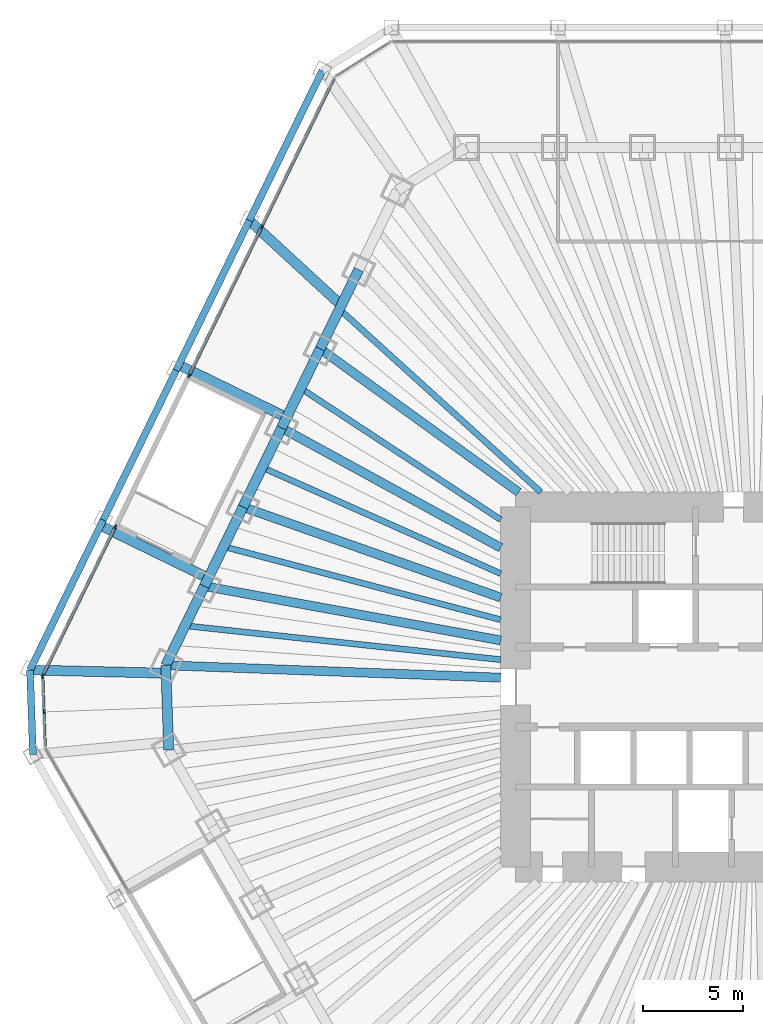
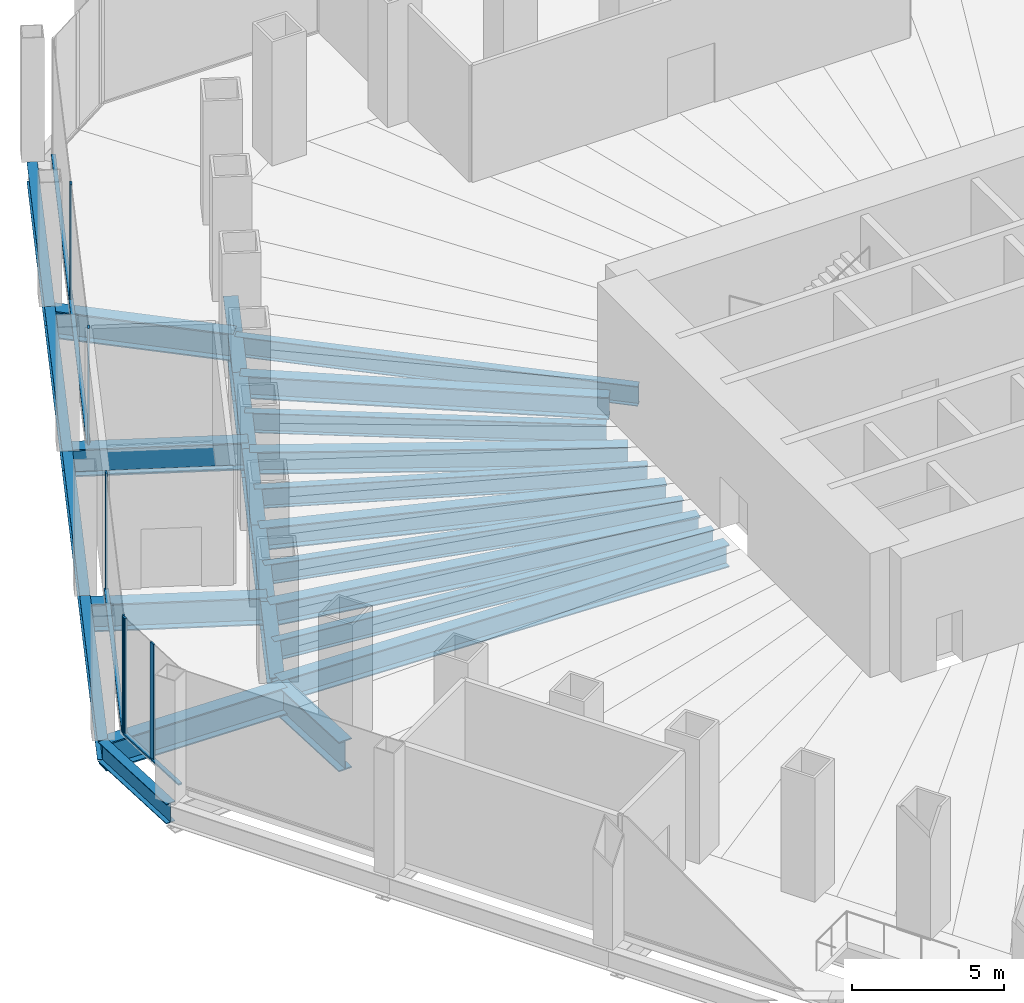
# One storey, part 6 of 18: 25 beams, 11 members, 3 elements without a shape of their own.
"""IFC4 building model written with IfcOpenShell, lengths in metres."""

from ifc_helpers import new_model, si_unit, direction, frame, origin, origin_2d, place, context, subcontext, project, spatial, rectangle, i_section, extrude, material, material_profile, profile_set, type_object, element, aggregate, save


model = new_model("IFC4")

# Units and contexts
model_context = context("Model", 3, precision=1e-05, world=origin(), true_north=direction((0.0, 1.0)))
body_context = subcontext(model_context, "Body", "Model", "MODEL_VIEW")
ifc_project = project(units=[si_unit("LENGTHUNIT", "METRE"), si_unit("AREAUNIT", "SQUARE_METRE"), si_unit("VOLUMEUNIT", "CUBIC_METRE"), si_unit("PLANEANGLEUNIT", "RADIAN"), si_unit("MASSUNIT", "GRAM", prefix="KILO")], contexts=[model_context])

# Site, building, storey
site_placement = place(None, origin())
site = spatial("IfcSite", under=ifc_project, at=site_placement, CompositionType="ELEMENT")
building_placement = place(site_placement, origin())
building = spatial("IfcBuilding", under=site, at=building_placement, Name="Qingtian Harvest Tower", CompositionType="ELEMENT")
storey_placement = place(building_placement, frame((0.0, 0.0, 12.0)))
storey = spatial("IfcBuildingStorey", under=building, at=storey_placement, Name="L02", CompositionType="ELEMENT", Elevation=12.0)

# Beams
ifc_material_1 = material(Name="Steel SM570MC", Category="steel")
ifc_material_profile_1 = material_profile(ifc_material_1, i_section(OverallWidth=0.449951171875, OverallDepth=0.89990234375, WebThickness=0.02197265625, FlangeThickness=0.044921875, at=origin_2d()), Name="H900x450x22x45")
ifc_profile_set_1 = profile_set([ifc_material_profile_1], Name="Steel SM570MC")
beam_type_1 = type_object("IfcBeamType", Name="Floor beam FB5 H900x450x22x45", PredefinedType="BEAM", material=ifc_profile_set_1)
beam_1_placement = place(storey_placement, frame((-29.5087890625, 1.08984375, -0.699951171875), z_axis=(0.999318796571, -0.036904509488, 0.0), x_axis=(0.036904509488, 0.999318796571, 0.0)))
element("IfcBeam", 1, at=beam_1_placement, inside=storey, type_object=beam_type_1, Name="Floor beam FB5 NW0", PredefinedType="BEAM", context=body_context, shape_type="SweptSolid", body=[
    extrude(i_section(OverallWidth=0.449951171875, OverallDepth=0.89990234375, WebThickness=0.02197265625, FlangeThickness=0.044921875, at=origin_2d()), origin(), (0.0, 0.0, 1.0), 16.770263671875),
])
beam_2_placement = place(storey_placement, frame((-27.577880859375, 5.048828125, -0.699951171875), z_axis=(0.98365177106, -0.180081074215, 0.0), x_axis=(0.180081074215, 0.98365177106, 0.0)))
element("IfcBeam", 2, at=beam_2_placement, inside=storey, type_object=beam_type_1, Name="Floor beam FB5 NW1", PredefinedType="BEAM", context=body_context, shape_type="SweptSolid", body=[
    extrude(i_section(OverallWidth=0.449951171875, OverallDepth=0.89990234375, WebThickness=0.02197265625, FlangeThickness=0.044921875, at=origin_2d()), origin(), (0.0, 0.0, 1.0), 15.07421875),
])
beam_3_placement = place(storey_placement, frame((-25.64697265625, 9.007568359375, -0.699951171875), z_axis=(0.943501950009, -0.331366972296, 0.0), x_axis=(0.331366972296, 0.943501950009, 0.0)))
element("IfcBeam", 3, at=beam_3_placement, inside=storey, type_object=beam_type_1, Name="Floor beam FB5 NW2", PredefinedType="BEAM", context=body_context, shape_type="SweptSolid", body=[
    extrude(i_section(OverallWidth=0.449951171875, OverallDepth=0.89990234375, WebThickness=0.02197265625, FlangeThickness=0.044921875, at=origin_2d()), origin(), (0.0, 0.0, 1.0), 13.669189453125),
])
beam_4_placement = place(storey_placement, frame((-23.716064453125, 12.96630859375, -0.699951171875), z_axis=(0.877428569154, -0.479707312882, 0.0), x_axis=(0.479707312882, 0.877428569154, 0.0)))
element("IfcBeam", 4, at=beam_4_placement, inside=storey, type_object=beam_type_1, Name="Floor beam FB5 NW3", PredefinedType="BEAM", context=body_context, shape_type="SweptSolid", body=[
    extrude(i_section(OverallWidth=0.449951171875, OverallDepth=0.89990234375, WebThickness=0.02197265625, FlangeThickness=0.044921875, at=origin_2d()), origin(), (0.0, 0.0, 1.0), 12.498046875),
])
beam_5_placement = place(storey_placement, frame((-21.78515625, 16.92529296875, -0.699951171875), z_axis=(0.810680279019, -0.585489099139, 0.0), x_axis=(0.585489099139, 0.810680279019, 0.0)))
element("IfcBeam", 5, at=beam_5_placement, inside=storey, type_object=beam_type_1, Name="Floor beam FB5 NW4", PredefinedType="BEAM", context=body_context, shape_type="SweptSolid", body=[
    extrude(i_section(OverallWidth=0.449951171875, OverallDepth=0.89990234375, WebThickness=0.02197265625, FlangeThickness=0.044921875, at=origin_2d()), origin(), (0.0, 0.0, 1.0), 12.255126953125),
])
ifc_material_2 = material(Name="Steel SM570MC", Category="steel")
ifc_material_profile_2 = material_profile(ifc_material_2, i_section(OverallWidth=0.5, OverallDepth=1.10009765625, WebThickness=0.02490234375, FlangeThickness=0.050048828125, at=origin_2d()), Name="H1100x500x25x50")
ifc_profile_set_2 = profile_set([ifc_material_profile_2], Name="Steel SM570MC")
beam_type_2 = type_object("IfcBeamType", Name="Floor beam FB6 H1100x500x25x50", PredefinedType="BEAM", material=ifc_profile_set_2)
beam_6_placement = place(storey_placement, frame((-36.300048828125, 0.852783203125, -0.800048828125), z_axis=(0.999724022167, -0.023492115754, 0.0), x_axis=(0.023492115754, 0.999724022167, 0.0)))
element("IfcBeam", 6, at=beam_6_placement, inside=storey, type_object=beam_type_2, Name="Podium floor beam FB6 NW0", PredefinedType="BEAM", context=body_context, shape_type="SweptSolid", body=[
    extrude(i_section(OverallWidth=0.5, OverallDepth=1.10009765625, WebThickness=0.02490234375, FlangeThickness=0.050048828125, at=origin_2d()), origin(), (0.0, 0.0, 1.0), 6.80712890625),
])
beam_7_placement = place(storey_placement, frame((-32.774658203125, 8.08056640625, -0.800048828125), z_axis=(0.898802465371, -0.438353884714, 0.0), x_axis=(0.438353884714, 0.898802465371, 0.0)))
element("IfcBeam", 7, at=beam_7_placement, inside=storey, type_object=beam_type_2, Name="Podium floor beam FB6 NW1", PredefinedType="BEAM", context=body_context, shape_type="SweptSolid", body=[
    extrude(i_section(OverallWidth=0.5, OverallDepth=1.10009765625, WebThickness=0.02490234375, FlangeThickness=0.050048828125, at=origin_2d()), origin(), (0.0, 0.0, 1.0), 6.0),
])
beam_8_placement = place(storey_placement, frame((-28.854736328125, 16.117431640625, -0.800048828125), z_axis=(0.898794646181, -0.438369916847, 0.0), x_axis=(0.438369916847, 0.898794646181, 0.0)))
element("IfcBeam", 8, at=beam_8_placement, inside=storey, type_object=beam_type_2, Name="Podium floor beam FB6 NW2", PredefinedType="BEAM", context=body_context, shape_type="SweptSolid", body=[
    extrude(i_section(OverallWidth=0.5, OverallDepth=1.10009765625, WebThickness=0.02490234375, FlangeThickness=0.050048828125, at=origin_2d()), origin(), (0.0, 0.0, 1.0), 5.999755859375),
])
beam_9_placement = place(storey_placement, frame((-25.32958984375, 23.345458984375, -0.800048828125), z_axis=(0.735326285835, -0.67771325305, 0.0), x_axis=(0.67771325305, 0.735326285835, 0.0)))
element("IfcBeam", 9, at=beam_9_placement, inside=storey, type_object=beam_type_2, Name="Podium floor beam FB6 NW3", PredefinedType="BEAM", context=body_context, shape_type="SweptSolid", body=[
    extrude(i_section(OverallWidth=0.5, OverallDepth=1.10009765625, WebThickness=0.02490234375, FlangeThickness=0.050048828125, at=origin_2d()), origin(), (0.0, 0.0, 1.0), 6.26318359375),
])
ifc_material_3 = material(Name="Steel SN490B", Category="steel")
ifc_material_profile_3 = material_profile(ifc_material_3, i_section(OverallWidth=0.300048828125, OverallDepth=0.800048828125, WebThickness=0.013916015625, FlangeThickness=0.02587890625, at=origin_2d()), Name="H800x300x14x26")
ifc_profile_set_3 = profile_set([ifc_material_profile_3], Name="Steel SN490B")
beam_type_3 = type_object("IfcBeamType", Name="Floor joist J1 H800x300x14x26", PredefinedType="JOIST", material=ifc_profile_set_3)
beam_10_placement = place(storey_placement, frame((-28.543212890625, 3.0693359375, -0.64990234375), z_axis=(0.994268320665, -0.106913546948, 0.0), x_axis=(0.106913546948, 0.994268320665, 0.0)))
element("IfcBeam", 10, at=beam_10_placement, inside=storey, type_object=beam_type_3, Name="Floor joist J1 NW0", PredefinedType="JOIST", context=body_context, shape_type="SweptSolid", body=[
    extrude(i_section(OverallWidth=0.300048828125, OverallDepth=0.800048828125, WebThickness=0.013916015625, FlangeThickness=0.02587890625, at=origin_2d()), origin(), (0.0, 0.0, 1.0), 15.88427734375),
])
beam_11_placement = place(storey_placement, frame((-26.6123046875, 7.028076171875, -0.64990234375), z_axis=(0.966852496992, -0.255335561684, 0.0), x_axis=(0.255335561684, 0.966852496992, 0.0)))
element("IfcBeam", 11, at=beam_11_placement, inside=storey, type_object=beam_type_3, Name="Floor joist J1 NW1", PredefinedType="JOIST", context=body_context, shape_type="SweptSolid", body=[
    extrude(i_section(OverallWidth=0.300048828125, OverallDepth=0.800048828125, WebThickness=0.013916015625, FlangeThickness=0.02587890625, at=origin_2d()), origin(), (0.0, 0.0, 1.0), 14.337646484375),
])
beam_12_placement = place(storey_placement, frame((-24.681640625, 10.987060546875, -0.64990234375), z_axis=(0.913567796195, -0.406686466157, 0.0), x_axis=(0.406686466157, 0.913567796195, 0.0)))
element("IfcBeam", 12, at=beam_12_placement, inside=storey, type_object=beam_type_3, Name="Floor joist J1 NW2", PredefinedType="JOIST", context=body_context, shape_type="SweptSolid", body=[
    extrude(i_section(OverallWidth=0.300048828125, OverallDepth=0.800048828125, WebThickness=0.013916015625, FlangeThickness=0.02587890625, at=origin_2d()), origin(), (0.0, 0.0, 1.0), 13.060546875),
])
beam_13_placement = place(storey_placement, frame((-22.750732421875, 14.94580078125, -0.64990234375), z_axis=(0.835785467613, -0.549056146607, 0.0), x_axis=(0.549056146607, 0.835785467613, 0.0)))
element("IfcBeam", 13, at=beam_13_placement, inside=storey, type_object=beam_type_3, Name="Floor joist J1 NW3", PredefinedType="JOIST", context=body_context, shape_type="SweptSolid", body=[
    extrude(i_section(OverallWidth=0.300048828125, OverallDepth=0.800048828125, WebThickness=0.013916015625, FlangeThickness=0.02587890625, at=origin_2d()), origin(), (0.0, 0.0, 1.0), 11.965576171875),
])
beam_14_placement = place(storey_placement, frame((-20.81982421875, 18.904541015625, -0.64990234375), z_axis=(0.740339866926, -0.672232758381, 0.0), x_axis=(0.672232758381, 0.740339866926, 0.0)))
element("IfcBeam", 14, at=beam_14_placement, inside=storey, type_object=beam_type_3, Name="Floor joist J1 NW4", PredefinedType="JOIST", context=body_context, shape_type="SweptSolid", body=[
    extrude(i_section(OverallWidth=0.300048828125, OverallDepth=0.800048828125, WebThickness=0.013916015625, FlangeThickness=0.02587890625, at=origin_2d()), origin(), (0.0, 0.0, 1.0), 13.6181640625),
])

# Curtain wall, members
ifc_material_4 = material(Name="Bronze-anodised aluminium curtain wall", Category="aluminium")
curtain_wall_type = type_object("IfcCurtainWallType", Name="Curtain wall CW1 podium shopfront", PredefinedType="USERDEFINED", material=ifc_material_4)
curtain_wall_1_placement = place(storey_placement, origin())
curtain_wall_1 = element("IfcCurtainWall", 15, at=curtain_wall_1_placement, inside=storey, type_object=curtain_wall_type, Name="Curtain wall CW1 L02 SWC", ObjectType="RECESSED CURTAIN WALL", PredefinedType="USERDEFINED")
ifc_material_5 = material(Name="Bronze-anodised aluminium mullion", Category="aluminium")
ifc_material_profile_4 = material_profile(ifc_material_5, rectangle(XDim=0.06494140625, YDim=0.199951171875, at=origin_2d()), Name="AL 65x200")
ifc_profile_set_4 = profile_set([ifc_material_profile_4], Name="Bronze-anodised aluminium mullion")
member_type_1 = type_object("IfcMemberType", Name="Mullion CWM 65x200", PredefinedType="MULLION", material=ifc_profile_set_4)
member_1_placement = place(storey_placement, frame((-35.6083984375, -1.243408203125, 0.0), z_axis=(0.0, 0.0, 1.0), x_axis=(-0.999390827019, -0.034899496703, 0.0)))
member_1 = element("IfcMember", 16, at=member_1_placement, type_object=member_type_1, Name="CW1 mullion 2", PredefinedType="MULLION", context=body_context, shape_type="SweptSolid", body=[
    extrude(rectangle(XDim=0.06494140625, YDim=0.199951171875, at=origin_2d()), origin(), (0.0, 0.0, 1.0), 4.699951171875),
])
member_2_placement = place(storey_placement, frame((-35.669677734375, 0.513427734375, 0.0), z_axis=(0.0, 0.0, 1.0), x_axis=(-0.999390827019, -0.034899496703, 0.0)))
member_2 = element("IfcMember", 17, at=member_2_placement, type_object=member_type_1, Name="CW1 mullion 3", PredefinedType="MULLION", context=body_context, shape_type="SweptSolid", body=[
    extrude(rectangle(XDim=0.06494140625, YDim=0.199951171875, at=origin_2d()), origin(), (0.0, 0.0, 1.0), 4.699951171875),
])

curtain_wall_2_placement = place(storey_placement, origin())
curtain_wall_2 = element("IfcCurtainWall", 18, at=curtain_wall_2_placement, inside=storey, type_object=curtain_wall_type, Name="Curtain wall CW1 L02 NW0", ObjectType="RECESSED CURTAIN WALL", PredefinedType="USERDEFINED")
member_3_placement = place(storey_placement, frame((-35.656494140625, 0.5751953125, 0.0), z_axis=(0.0, 0.0, 1.0), x_axis=(-0.898794046299, 0.438371146789, 0.0)))
member_3 = element("IfcMember", 19, at=member_3_placement, type_object=member_type_1, Name="CW1 mullion 1", PredefinedType="MULLION", context=body_context, shape_type="SweptSolid", body=[
    extrude(rectangle(XDim=0.06494140625, YDim=0.199951171875, at=origin_2d()), origin(), (0.0, 0.0, 1.0), 4.699951171875),
])
member_4_placement = place(storey_placement, frame((-32.0283203125, 8.01416015625, 0.0), z_axis=(0.0, 0.0, 1.0), x_axis=(-0.898794046299, 0.438371146789, 0.0)))
member_4 = element("IfcMember", 20, at=member_4_placement, type_object=member_type_1, Name="CW1 mullion 2", PredefinedType="MULLION", context=body_context, shape_type="SweptSolid", body=[
    extrude(rectangle(XDim=0.06494140625, YDim=0.199951171875, at=origin_2d()), origin(), (0.0, 0.0, 1.0), 4.699951171875),
])

curtain_wall_3_placement = place(storey_placement, origin())
curtain_wall_3 = element("IfcCurtainWall", 21, at=curtain_wall_3_placement, inside=storey, type_object=curtain_wall_type, Name="Curtain wall CW1 L02 NW2-3", ObjectType="RECESSED CURTAIN WALL", PredefinedType="USERDEFINED")
member_5_placement = place(storey_placement, frame((-28.343017578125, 15.570068359375, 0.0), z_axis=(0.0, 0.0, 1.0), x_axis=(-0.898794046299, 0.438371146789, 0.0)))
member_5 = element("IfcMember", 22, at=member_5_placement, type_object=member_type_1, Name="CW1 mullion 1", PredefinedType="MULLION", context=body_context, shape_type="SweptSolid", body=[
    extrude(rectangle(XDim=0.06494140625, YDim=0.199951171875, at=origin_2d()), origin(), (0.0, 0.0, 1.0), 4.699951171875),
])
member_6_placement = place(storey_placement, frame((-24.700439453125, 23.03857421875, 0.0), z_axis=(0.0, 0.0, 1.0), x_axis=(-0.898794046299, 0.438371146789, 0.0)))
member_6 = element("IfcMember", 23, at=member_6_placement, type_object=member_type_1, Name="CW1 mullion 2", PredefinedType="MULLION", context=body_context, shape_type="SweptSolid", body=[
    extrude(rectangle(XDim=0.06494140625, YDim=0.199951171875, at=origin_2d()), origin(), (0.0, 0.0, 1.0), 4.699951171875),
])

# Beams
ifc_material_6 = material(Name="Steel SN490B", Category="steel")
ifc_material_profile_5 = material_profile(ifc_material_6, i_section(OverallWidth=0.35009765625, OverallDepth=0.800048828125, WebThickness=0.01611328125, FlangeThickness=0.028076171875, at=origin_2d()), Name="H800x350x16x28")
ifc_profile_set_5 = profile_set([ifc_material_profile_5], Name="Steel SN490B")
beam_type_4 = type_object("IfcBeamType", Name="Podium beam PB1 H800x350x16x28", PredefinedType="BEAM", material=ifc_profile_set_5)
beam_15_placement = place(storey_placement, frame((-36.152099609375, -3.3828125, -0.64990234375), z_axis=(-0.034908677553, 0.999390506375, 0.0), x_axis=(-0.999390506375, -0.034908677553, 0.0)))
element("IfcBeam", 24, at=beam_15_placement, inside=storey, type_object=beam_type_4, Name="Podium edge beam PB1 SW4", PredefinedType="BEAM", context=body_context, shape_type="SweptSolid", body=[
    extrude(i_section(OverallWidth=0.35009765625, OverallDepth=0.800048828125, WebThickness=0.01611328125, FlangeThickness=0.028076171875, at=origin_2d()), origin(), (0.0, 0.0, 1.0), 4.23828125),
])
for number, where, z_axis, x_axis, name in (
    (25, (-36.300048828125, 0.852783203125, -0.64990234375), (0.438388457998, 0.898785602852, 0.0), (-0.898785602852, 0.438388457998, 0.0), "Podium edge beam PB1 NW0"),
    (26, (-32.64306640625, 8.350341796875, -0.64990234375), (0.438364815309, 0.898797134341, 0.0), (-0.898797134341, 0.438364815309, 0.0), "Podium edge beam PB1 NW1"),
    (27, (-28.986328125, 15.847900390625, -0.64990234375), (0.438364815309, 0.898797134341, 0.0), (-0.898797134341, 0.438364815309, 0.0), "Podium edge beam PB1 NW2"),
):
    element("IfcBeam", number, at=place(storey_placement, frame(where, z_axis=z_axis, x_axis=x_axis)), inside=storey, type_object=beam_type_4, Name=name, PredefinedType="BEAM", context=body_context, shape_type="SweptSolid", body=[
        extrude(i_section(OverallWidth=0.35009765625, OverallDepth=0.800048828125, WebThickness=0.01611328125, FlangeThickness=0.028076171875, at=origin_2d()), origin(), (0.0, 0.0, 1.0), 8.341796875),
    ])
beam_16_placement = place(storey_placement, frame((-25.32958984375, 23.345458984375, -0.64990234375), z_axis=(0.438376346902, 0.898791510016, 0.0), x_axis=(-0.898791510016, 0.438376346902, 0.0)))
element("IfcBeam", 28, at=beam_16_placement, inside=storey, type_object=beam_type_4, Name="Podium edge beam PB1 NW3", PredefinedType="BEAM", context=body_context, shape_type="SweptSolid", body=[
    extrude(i_section(OverallWidth=0.35009765625, OverallDepth=0.800048828125, WebThickness=0.01611328125, FlangeThickness=0.028076171875, at=origin_2d()), origin(), (0.0, 0.0, 1.0), 8.341552734375),
])
ifc_material_7 = material(Name="Steel SM570MC", Category="steel")
ifc_material_profile_6 = material_profile(ifc_material_7, i_section(OverallWidth=0.5, OverallDepth=1.199951171875, WebThickness=0.02490234375, FlangeThickness=0.050048828125, at=origin_2d()), Name="H1200x500x25x50")
ifc_profile_set_6 = profile_set([ifc_material_profile_6], Name="Steel SM570MC")
beam_type_5 = type_object("IfcBeamType", Name="Spandrel beam SB1 H1200x500x25x50", PredefinedType="SPANDREL", material=ifc_profile_set_6)
beam_17_placement = place(storey_placement, frame((-29.36083984375, -3.145751953125, -0.85009765625), z_axis=(-0.034908677553, 0.999390506375, 0.0), x_axis=(-0.999390506375, -0.034908677553, 0.0)))
element("IfcBeam", 29, at=beam_17_placement, inside=storey, type_object=beam_type_5, Name="Spandrel SB1 SWC", PredefinedType="SPANDREL", context=body_context, shape_type="SweptSolid", body=[
    extrude(i_section(OverallWidth=0.5, OverallDepth=1.199951171875, WebThickness=0.02490234375, FlangeThickness=0.050048828125, at=origin_2d()), origin(), (0.0, 0.0, 1.0), 4.23828125),
])
beam_18_placement = place(storey_placement, frame((-29.5087890625, 1.08984375, -0.85009765625), z_axis=(0.438367938366, 0.898795611145, 0.0), x_axis=(-0.898795611145, 0.438367938366, 0.0)))
element("IfcBeam", 30, at=beam_18_placement, inside=storey, type_object=beam_type_5, Name="Spandrel SB1 NW0", PredefinedType="SPANDREL", context=body_context, shape_type="SweptSolid", body=[
    extrude(i_section(OverallWidth=0.5, OverallDepth=1.199951171875, WebThickness=0.02490234375, FlangeThickness=0.050048828125, at=origin_2d()), origin(), (0.0, 0.0, 1.0), 4.40478515625),
])
for number, where, z_axis, x_axis, name in (
    (31, (-27.577880859375, 5.048828125, -0.85009765625), (0.438389777529, 0.898784959241, 0.0), (-0.898784959241, 0.438389777529, 0.0), "Spandrel SB1 NW1"),
    (32, (-25.64697265625, 9.007568359375, -0.85009765625), (0.438389777529, 0.898784959241, 0.0), (-0.898784959241, 0.438389777529, 0.0), "Spandrel SB1 NW2"),
):
    element("IfcBeam", number, at=place(storey_placement, frame(where, z_axis=z_axis, x_axis=x_axis)), inside=storey, type_object=beam_type_5, Name=name, PredefinedType="SPANDREL", context=body_context, shape_type="SweptSolid", body=[
        extrude(i_section(OverallWidth=0.5, OverallDepth=1.199951171875, WebThickness=0.02490234375, FlangeThickness=0.050048828125, at=origin_2d()), origin(), (0.0, 0.0, 1.0), 4.404541015625),
    ])
beam_19_placement = place(storey_placement, frame((-23.716064453125, 12.96630859375, -0.85009765625), z_axis=(0.438367938366, 0.898795611145, 0.0), x_axis=(-0.898795611145, 0.438367938366, 0.0)))
element("IfcBeam", 33, at=beam_19_placement, inside=storey, type_object=beam_type_5, Name="Spandrel SB1 NW3", PredefinedType="SPANDREL", context=body_context, shape_type="SweptSolid", body=[
    extrude(i_section(OverallWidth=0.5, OverallDepth=1.199951171875, WebThickness=0.02490234375, FlangeThickness=0.050048828125, at=origin_2d()), origin(), (0.0, 0.0, 1.0), 4.40478515625),
])
beam_20_placement = place(storey_placement, frame((-21.78515625, 16.92529296875, -0.85009765625), z_axis=(0.438344999367, 0.898806798778, 0.0), x_axis=(-0.898806798778, 0.438344999367, 0.0)))
element("IfcBeam", 34, at=beam_20_placement, inside=storey, type_object=beam_type_5, Name="Spandrel SB1 NW4", PredefinedType="SPANDREL", context=body_context, shape_type="SweptSolid", body=[
    extrude(i_section(OverallWidth=0.5, OverallDepth=1.199951171875, WebThickness=0.02490234375, FlangeThickness=0.050048828125, at=origin_2d()), origin(), (0.0, 0.0, 1.0), 4.404541015625),
])

# Member
ifc_material_8 = material(Name="Bronze-anodised aluminium transom", Category="aluminium")
ifc_material_profile_7 = material_profile(ifc_material_8, rectangle(XDim=0.14990234375, YDim=0.06494140625, at=origin_2d()), Name="AL 65x150")
ifc_profile_set_7 = profile_set([ifc_material_profile_7], Name="Bronze-anodised aluminium transom")
member_type_2 = type_object("IfcMemberType", Name="Transom CWT 65x150", PredefinedType="USERDEFINED", material=ifc_profile_set_7)
member_7_placement = place(storey_placement, frame((-35.548095703125, -2.9677734375, 0.032470703125), z_axis=(-0.034899362377, 0.99939083171, 0.0), x_axis=(-0.99939083171, -0.034899362377, 0.0)))
member_7 = element("IfcMember", 35, at=member_7_placement, type_object=member_type_2, Name="CW1 transom 1.1", ObjectType="TRANSOM", PredefinedType="USERDEFINED", context=body_context, shape_type="SweptSolid", body=[
    extrude(rectangle(XDim=0.14990234375, YDim=0.06494140625, at=origin_2d()), origin(), (0.0, 0.0, 1.0), 1.69287109375),
])

member_8_placement = place(storey_placement, frame((-35.609375, -1.2109375, 0.032470703125), z_axis=(-0.034899362377, 0.99939083171, 0.0), x_axis=(-0.99939083171, -0.034899362377, 0.0)))
member_8 = element("IfcMember", 36, at=member_8_placement, type_object=member_type_2, Name="CW1 transom 2.1", ObjectType="TRANSOM", PredefinedType="USERDEFINED", context=body_context, shape_type="SweptSolid", body=[
    extrude(rectangle(XDim=0.14990234375, YDim=0.06494140625, at=origin_2d()), origin(), (0.0, 0.0, 1.0), 1.69287109375),
])

aggregate(curtain_wall_1, [member_1, member_2, member_7, member_8])

member_9_placement = place(storey_placement, frame((-35.642333984375, 0.604248046875, 0.032470703125), z_axis=(0.43836798576, 0.898795588029, 0.0), x_axis=(-0.898795588029, 0.43836798576, 0.0)))
member_9 = element("IfcMember", 37, at=member_9_placement, type_object=member_type_2, Name="CW1 transom 1.1", ObjectType="TRANSOM", PredefinedType="USERDEFINED", context=body_context, shape_type="SweptSolid", body=[
    extrude(rectangle(XDim=0.14990234375, YDim=0.06494140625, at=origin_2d()), origin(), (0.0, 0.0, 1.0), 8.2119140625),
])

aggregate(curtain_wall_2, [member_3, member_4, member_9])

member_10_placement = place(storey_placement, frame((-28.32861328125, 15.599365234375, 0.032470703125), z_axis=(0.438367036987, 0.898796050772, 0.0), x_axis=(-0.898796050772, 0.438367036987, 0.0)))
member_10 = element("IfcMember", 38, at=member_10_placement, type_object=member_type_2, Name="CW1 transom 1.1", ObjectType="TRANSOM", PredefinedType="USERDEFINED", context=body_context, shape_type="SweptSolid", body=[
    extrude(rectangle(XDim=0.14990234375, YDim=0.06494140625, at=origin_2d()), origin(), (0.0, 0.0, 1.0), 8.244384765625),
])

member_11_placement = place(storey_placement, frame((-24.686279296875, 23.067626953125, 0.032470703125), z_axis=(0.438390959236, 0.898784382853, 0.0), x_axis=(-0.898784382853, 0.438390959236, 0.0)))
member_11 = element("IfcMember", 39, at=member_11_placement, type_object=member_type_2, Name="CW1 transom 2.1", ObjectType="TRANSOM", PredefinedType="USERDEFINED", context=body_context, shape_type="SweptSolid", body=[
    extrude(rectangle(XDim=0.14990234375, YDim=0.06494140625, at=origin_2d()), origin(), (0.0, 0.0, 1.0), 8.244384765625),
])

aggregate(curtain_wall_3, [member_5, member_6, member_10, member_11])

save(model, "model.ifc")
